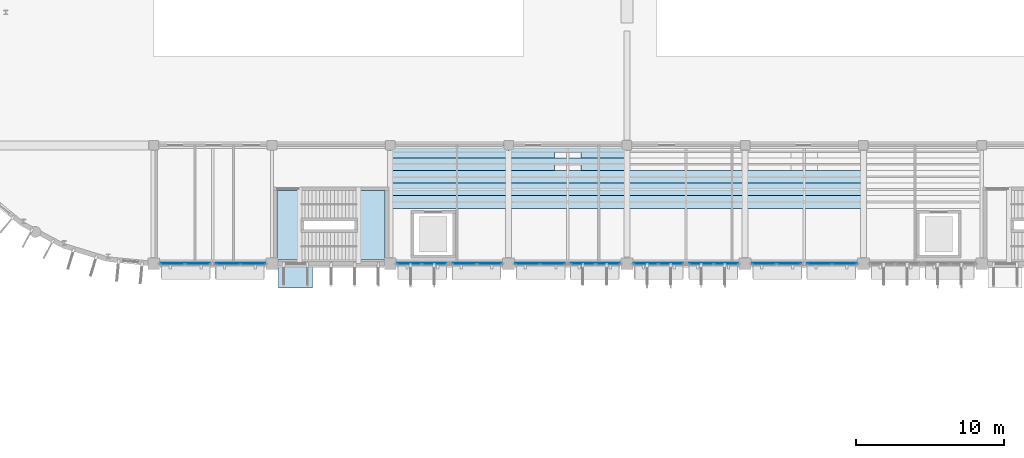
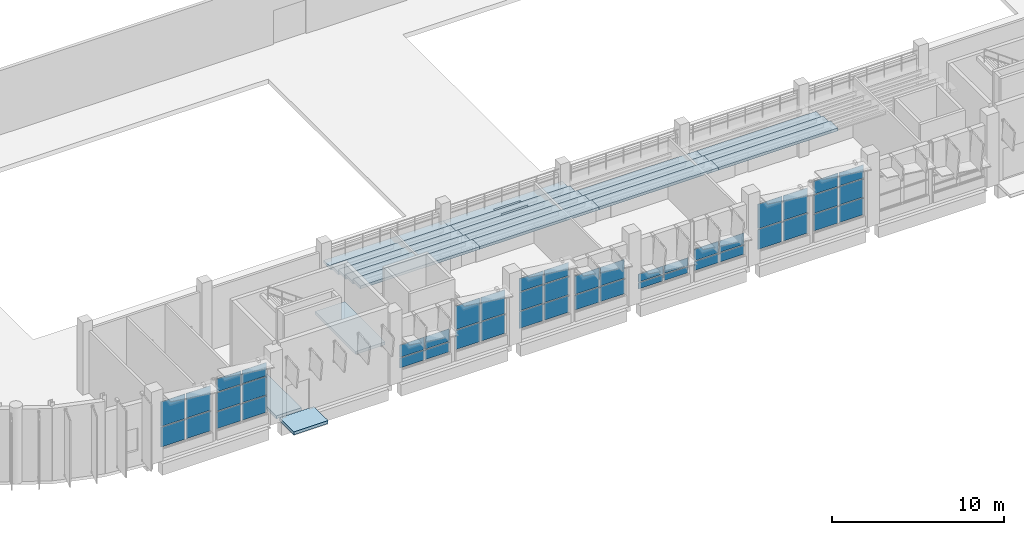
# One storey, part 52 of 103: 46 plates, 19 slabs, 11 elements without a shape of their own.
"""IFC4 building model written with IfcOpenShell, lengths in metres."""

from ifc_helpers import new_model, si_unit, direction, frame, origin, origin_2d, place, context, subcontext, project, spatial, polyline, rectangle, outline, extrude, material, layer, layer_set, type_object, element, aggregate, save


model = new_model("IFC4")

# Units and contexts
model_context = context("Model", 3, precision=1e-05, world=origin(), true_north=direction((0.0, 1.0)))
body_context = subcontext(model_context, "Body", "Model", "MODEL_VIEW")
ifc_project = project(units=[si_unit("LENGTHUNIT", "METRE"), si_unit("AREAUNIT", "SQUARE_METRE"), si_unit("VOLUMEUNIT", "CUBIC_METRE"), si_unit("PLANEANGLEUNIT", "RADIAN"), si_unit("MASSUNIT", "GRAM", prefix="KILO")], contexts=[model_context])

# Site, building, storey
site_placement = place(None, origin())
site = spatial("IfcSite", under=ifc_project, at=site_placement, CompositionType="ELEMENT")
building_placement = place(site_placement, origin())
building = spatial("IfcBuilding", under=site, at=building_placement, Name="Drelvana Railside Aquatics Centre", CompositionType="ELEMENT")
storey_placement = place(building_placement, origin())
storey = spatial("IfcBuildingStorey", under=building, at=storey_placement, Name="L00", CompositionType="ELEMENT", Elevation=0.0)

# Curtain wall, plates
ifc_material_1 = material(Name="Bronze-anodised aluminium curtain wall", Category="aluminium")
ifc_layer_1 = layer(ifc_material_1, 0.199951171875, Name="Bronze-anodised aluminium curtain wall")
ifc_layer_set_1 = layer_set([ifc_layer_1], Name="Bronze-anodised aluminium curtain wall")
curtain_wall_type = type_object("IfcCurtainWallType", Name="CW-Z1-SINE", PredefinedType="NOTDEFINED", material=ifc_layer_set_1)
curtain_wall_1_placement = place(storey_placement, origin())
curtain_wall_1 = element("IfcCurtainWall", 1, at=curtain_wall_1_placement, inside=storey, type_object=curtain_wall_type, Name="Curtain wall CW-01-001", PredefinedType="NOTDEFINED")
ifc_material_2 = material(Name="Double-glazed low-e solar-control glass", Category="glass")
ifc_layer_2 = layer(ifc_material_2, 0.031982421875, Name="Double-glazed low-e solar-control glass")
ifc_layer_set_2 = layer_set([ifc_layer_2], Name="Double-glazed low-e solar-control glass")
plate_type = type_object("IfcPlateType", Name="CW-Z1-SINE-PAN", PredefinedType="CURTAIN_PANEL", material=ifc_layer_set_2)
plate_1_placement = place(storey_placement, frame((17.279296875, 16.0, 0.708984375), z_axis=(0.0, 0.0, 1.0), x_axis=(1.0, 0.0, 0.0)))
plate_1 = element("IfcPlate", 2, at=plate_1_placement, type_object=plate_type, Name="CW-01 panel 1.1", PredefinedType="CURTAIN_PANEL", context=body_context, shape_type="SweptSolid", body=[
    extrude(rectangle(XDim=1.630615234375, YDim=0.031982421875, at=origin_2d()), origin(), (0.0, 0.0, 1.0), 1.406982421875),
])
plate_2_placement = place(storey_placement, frame((17.279296875, 16.0, 2.17578125), z_axis=(0.0, 0.0, 1.0), x_axis=(1.0, 0.0, 0.0)))
plate_2 = element("IfcPlate", 3, at=plate_2_placement, type_object=plate_type, Name="CW-01 panel 1.2", PredefinedType="CURTAIN_PANEL", context=body_context, shape_type="SweptSolid", body=[
    extrude(rectangle(XDim=1.630615234375, YDim=0.031982421875, at=origin_2d()), origin(), (0.0, 0.0, 1.0), 1.739990234375),
])
plate_3_placement = place(storey_placement, frame((18.974853515625, 16.0, 0.708984375), z_axis=(0.0, 0.0, 1.0), x_axis=(1.0, 0.0, 0.0)))
plate_3 = element("IfcPlate", 4, at=plate_3_placement, type_object=plate_type, Name="CW-01 panel 2.1", PredefinedType="CURTAIN_PANEL", context=body_context, shape_type="SweptSolid", body=[
    extrude(rectangle(XDim=1.630615234375, YDim=0.031982421875, at=origin_2d()), origin(), (0.0, 0.0, 1.0), 1.406982421875),
])
plate_4_placement = place(storey_placement, frame((18.974853515625, 16.0, 2.17578125), z_axis=(0.0, 0.0, 1.0), x_axis=(1.0, 0.0, 0.0)))
plate_4 = element("IfcPlate", 5, at=plate_4_placement, type_object=plate_type, Name="CW-01 panel 2.2", PredefinedType="CURTAIN_PANEL", context=body_context, shape_type="SweptSolid", body=[
    extrude(rectangle(XDim=1.630615234375, YDim=0.031982421875, at=origin_2d()), origin(), (0.0, 0.0, 1.0), 1.739990234375),
])
aggregate(curtain_wall_1, [plate_1, plate_2, plate_3, plate_4])

curtain_wall_2_placement = place(storey_placement, origin())
curtain_wall_2 = element("IfcCurtainWall", 6, at=curtain_wall_2_placement, inside=storey, type_object=curtain_wall_type, Name="Curtain wall CW-01-002", PredefinedType="NOTDEFINED")
plate_5_placement = place(storey_placement, frame((21.025146484375, 16.0, 0.708984375), z_axis=(0.0, 0.0, 1.0), x_axis=(1.0, 0.0, 0.0)))
plate_5 = element("IfcPlate", 7, at=plate_5_placement, type_object=plate_type, Name="CW-01 panel 1.1", PredefinedType="CURTAIN_PANEL", context=body_context, shape_type="SweptSolid", body=[
    extrude(rectangle(XDim=1.630615234375, YDim=0.031982421875, at=origin_2d()), origin(), (0.0, 0.0, 1.0), 1.18603515625),
])
plate_6_placement = place(storey_placement, frame((21.025146484375, 16.0, 1.955078125), z_axis=(0.0, 0.0, 1.0), x_axis=(1.0, 0.0, 0.0)))
plate_6 = element("IfcPlate", 8, at=plate_6_placement, type_object=plate_type, Name="CW-01 panel 1.2", PredefinedType="CURTAIN_PANEL", context=body_context, shape_type="SweptSolid", body=[
    extrude(rectangle(XDim=1.630615234375, YDim=0.031982421875, at=origin_2d()), origin(), (0.0, 0.0, 1.0), 1.294921875),
])
plate_7_placement = place(storey_placement, frame((21.025146484375, 16.0, 3.31005859375), z_axis=(0.0, 0.0, 1.0), x_axis=(1.0, 0.0, 0.0)))
plate_7 = element("IfcPlate", 9, at=plate_7_placement, type_object=plate_type, Name="CW-01 panel 1.3", PredefinedType="CURTAIN_PANEL", context=body_context, shape_type="SweptSolid", body=[
    extrude(rectangle(XDim=1.630615234375, YDim=0.031982421875, at=origin_2d()), origin(), (0.0, 0.0, 1.0), 0.929931640625),
])
plate_8_placement = place(storey_placement, frame((22.720703125, 16.0, 0.708984375), z_axis=(0.0, 0.0, 1.0), x_axis=(1.0, 0.0, 0.0)))
plate_8 = element("IfcPlate", 10, at=plate_8_placement, type_object=plate_type, Name="CW-01 panel 2.1", PredefinedType="CURTAIN_PANEL", context=body_context, shape_type="SweptSolid", body=[
    extrude(rectangle(XDim=1.630615234375, YDim=0.031982421875, at=origin_2d()), origin(), (0.0, 0.0, 1.0), 1.18603515625),
])
plate_9_placement = place(storey_placement, frame((22.720703125, 16.0, 1.955078125), z_axis=(0.0, 0.0, 1.0), x_axis=(1.0, 0.0, 0.0)))
plate_9 = element("IfcPlate", 11, at=plate_9_placement, type_object=plate_type, Name="CW-01 panel 2.2", PredefinedType="CURTAIN_PANEL", context=body_context, shape_type="SweptSolid", body=[
    extrude(rectangle(XDim=1.630615234375, YDim=0.031982421875, at=origin_2d()), origin(), (0.0, 0.0, 1.0), 1.294921875),
])
plate_10_placement = place(storey_placement, frame((22.720703125, 16.0, 3.31005859375), z_axis=(0.0, 0.0, 1.0), x_axis=(1.0, 0.0, 0.0)))
plate_10 = element("IfcPlate", 12, at=plate_10_placement, type_object=plate_type, Name="CW-01 panel 2.3", PredefinedType="CURTAIN_PANEL", context=body_context, shape_type="SweptSolid", body=[
    extrude(rectangle(XDim=1.630615234375, YDim=0.031982421875, at=origin_2d()), origin(), (0.0, 0.0, 1.0), 0.929931640625),
])
aggregate(curtain_wall_2, [plate_5, plate_6, plate_7, plate_8, plate_9, plate_10])

curtain_wall_3_placement = place(storey_placement, origin())
curtain_wall_3 = element("IfcCurtainWall", 13, at=curtain_wall_3_placement, inside=storey, type_object=curtain_wall_type, Name="Curtain wall CW-01-003", PredefinedType="NOTDEFINED")
plate_11_placement = place(storey_placement, frame((33.279296875, 16.0, 0.708984375), z_axis=(0.0, 0.0, 1.0), x_axis=(1.0, 0.0, 0.0)))
plate_11 = element("IfcPlate", 14, at=plate_11_placement, type_object=plate_type, Name="CW-01 panel 1.1", PredefinedType="CURTAIN_PANEL", context=body_context, shape_type="SweptSolid", body=[
    extrude(rectangle(XDim=1.630615234375, YDim=0.031982421875, at=origin_2d()), origin(), (0.0, 0.0, 1.0), 0.693115234375),
])
plate_12_placement = place(storey_placement, frame((33.279296875, 16.0, 1.4619140625), z_axis=(0.0, 0.0, 1.0), x_axis=(1.0, 0.0, 0.0)))
plate_12 = element("IfcPlate", 15, at=plate_12_placement, type_object=plate_type, Name="CW-01 panel 1.2", PredefinedType="CURTAIN_PANEL", context=body_context, shape_type="SweptSolid", body=[
    extrude(rectangle(XDim=1.630615234375, YDim=0.031982421875, at=origin_2d()), origin(), (0.0, 0.0, 1.0), 0.868896484375),
])
plate_13_placement = place(storey_placement, frame((34.974853515625, 16.0, 0.708984375), z_axis=(0.0, 0.0, 1.0), x_axis=(1.0, 0.0, 0.0)))
plate_13 = element("IfcPlate", 16, at=plate_13_placement, type_object=plate_type, Name="CW-01 panel 2.1", PredefinedType="CURTAIN_PANEL", context=body_context, shape_type="SweptSolid", body=[
    extrude(rectangle(XDim=1.630615234375, YDim=0.031982421875, at=origin_2d()), origin(), (0.0, 0.0, 1.0), 0.693115234375),
])
plate_14_placement = place(storey_placement, frame((34.974853515625, 16.0, 1.4619140625), z_axis=(0.0, 0.0, 1.0), x_axis=(1.0, 0.0, 0.0)))
plate_14 = element("IfcPlate", 17, at=plate_14_placement, type_object=plate_type, Name="CW-01 panel 2.2", PredefinedType="CURTAIN_PANEL", context=body_context, shape_type="SweptSolid", body=[
    extrude(rectangle(XDim=1.630615234375, YDim=0.031982421875, at=origin_2d()), origin(), (0.0, 0.0, 1.0), 0.868896484375),
])
aggregate(curtain_wall_3, [plate_11, plate_12, plate_13, plate_14])

curtain_wall_4_placement = place(storey_placement, origin())
curtain_wall_4 = element("IfcCurtainWall", 18, at=curtain_wall_4_placement, inside=storey, type_object=curtain_wall_type, Name="Curtain wall CW-01-004", PredefinedType="NOTDEFINED")
plate_15_placement = place(storey_placement, frame((37.025146484375, 16.0, 0.708984375), z_axis=(0.0, 0.0, 1.0), x_axis=(1.0, 0.0, 0.0)))
plate_15 = element("IfcPlate", 19, at=plate_15_placement, type_object=plate_type, Name="CW-01 panel 1.1", PredefinedType="CURTAIN_PANEL", context=body_context, shape_type="SweptSolid", body=[
    extrude(rectangle(XDim=1.630615234375, YDim=0.031982421875, at=origin_2d()), origin(), (0.0, 0.0, 1.0), 1.35400390625),
])
plate_16_placement = place(storey_placement, frame((37.025146484375, 16.0, 2.123046875), z_axis=(0.0, 0.0, 1.0), x_axis=(1.0, 0.0, 0.0)))
plate_16 = element("IfcPlate", 20, at=plate_16_placement, type_object=plate_type, Name="CW-01 panel 1.2", PredefinedType="CURTAIN_PANEL", context=body_context, shape_type="SweptSolid", body=[
    extrude(rectangle(XDim=1.630615234375, YDim=0.031982421875, at=origin_2d()), origin(), (0.0, 0.0, 1.0), 1.676025390625),
])
plate_17_placement = place(storey_placement, frame((38.720703125, 16.0, 0.708984375), z_axis=(0.0, 0.0, 1.0), x_axis=(1.0, 0.0, 0.0)))
plate_17 = element("IfcPlate", 21, at=plate_17_placement, type_object=plate_type, Name="CW-01 panel 2.1", PredefinedType="CURTAIN_PANEL", context=body_context, shape_type="SweptSolid", body=[
    extrude(rectangle(XDim=1.630615234375, YDim=0.031982421875, at=origin_2d()), origin(), (0.0, 0.0, 1.0), 1.35400390625),
])
plate_18_placement = place(storey_placement, frame((38.720703125, 16.0, 2.123046875), z_axis=(0.0, 0.0, 1.0), x_axis=(1.0, 0.0, 0.0)))
plate_18 = element("IfcPlate", 22, at=plate_18_placement, type_object=plate_type, Name="CW-01 panel 2.2", PredefinedType="CURTAIN_PANEL", context=body_context, shape_type="SweptSolid", body=[
    extrude(rectangle(XDim=1.630615234375, YDim=0.031982421875, at=origin_2d()), origin(), (0.0, 0.0, 1.0), 1.676025390625),
])
aggregate(curtain_wall_4, [plate_15, plate_16, plate_17, plate_18])

curtain_wall_5_placement = place(storey_placement, origin())
curtain_wall_5 = element("IfcCurtainWall", 23, at=curtain_wall_5_placement, inside=storey, type_object=curtain_wall_type, Name="Curtain wall CW-01-005", PredefinedType="NOTDEFINED")
plate_19_placement = place(storey_placement, frame((41.279296875, 16.0, 0.708984375), z_axis=(0.0, 0.0, 1.0), x_axis=(1.0, 0.0, 0.0)))
plate_19 = element("IfcPlate", 24, at=plate_19_placement, type_object=plate_type, Name="CW-01 panel 1.1", PredefinedType="CURTAIN_PANEL", context=body_context, shape_type="SweptSolid", body=[
    extrude(rectangle(XDim=1.630615234375, YDim=0.031982421875, at=origin_2d()), origin(), (0.0, 0.0, 1.0), 1.18603515625),
])
plate_20_placement = place(storey_placement, frame((41.279296875, 16.0, 1.955078125), z_axis=(0.0, 0.0, 1.0), x_axis=(1.0, 0.0, 0.0)))
plate_20 = element("IfcPlate", 25, at=plate_20_placement, type_object=plate_type, Name="CW-01 panel 1.2", PredefinedType="CURTAIN_PANEL", context=body_context, shape_type="SweptSolid", body=[
    extrude(rectangle(XDim=1.630615234375, YDim=0.031982421875, at=origin_2d()), origin(), (0.0, 0.0, 1.0), 1.294921875),
])
plate_21_placement = place(storey_placement, frame((41.279296875, 16.0, 3.31005859375), z_axis=(0.0, 0.0, 1.0), x_axis=(1.0, 0.0, 0.0)))
plate_21 = element("IfcPlate", 26, at=plate_21_placement, type_object=plate_type, Name="CW-01 panel 1.3", PredefinedType="CURTAIN_PANEL", context=body_context, shape_type="SweptSolid", body=[
    extrude(rectangle(XDim=1.630615234375, YDim=0.031982421875, at=origin_2d()), origin(), (0.0, 0.0, 1.0), 0.929931640625),
])
plate_22_placement = place(storey_placement, frame((42.974853515625, 16.0, 0.708984375), z_axis=(0.0, 0.0, 1.0), x_axis=(1.0, 0.0, 0.0)))
plate_22 = element("IfcPlate", 27, at=plate_22_placement, type_object=plate_type, Name="CW-01 panel 2.1", PredefinedType="CURTAIN_PANEL", context=body_context, shape_type="SweptSolid", body=[
    extrude(rectangle(XDim=1.630615234375, YDim=0.031982421875, at=origin_2d()), origin(), (0.0, 0.0, 1.0), 1.18603515625),
])
plate_23_placement = place(storey_placement, frame((42.974853515625, 16.0, 1.955078125), z_axis=(0.0, 0.0, 1.0), x_axis=(1.0, 0.0, 0.0)))
plate_23 = element("IfcPlate", 28, at=plate_23_placement, type_object=plate_type, Name="CW-01 panel 2.2", PredefinedType="CURTAIN_PANEL", context=body_context, shape_type="SweptSolid", body=[
    extrude(rectangle(XDim=1.630615234375, YDim=0.031982421875, at=origin_2d()), origin(), (0.0, 0.0, 1.0), 1.294921875),
])
plate_24_placement = place(storey_placement, frame((42.974853515625, 16.0, 3.31005859375), z_axis=(0.0, 0.0, 1.0), x_axis=(1.0, 0.0, 0.0)))
plate_24 = element("IfcPlate", 29, at=plate_24_placement, type_object=plate_type, Name="CW-01 panel 2.3", PredefinedType="CURTAIN_PANEL", context=body_context, shape_type="SweptSolid", body=[
    extrude(rectangle(XDim=1.630615234375, YDim=0.031982421875, at=origin_2d()), origin(), (0.0, 0.0, 1.0), 0.929931640625),
])
aggregate(curtain_wall_5, [plate_19, plate_20, plate_21, plate_22, plate_23, plate_24])

curtain_wall_6_placement = place(storey_placement, origin())
curtain_wall_6 = element("IfcCurtainWall", 30, at=curtain_wall_6_placement, inside=storey, type_object=curtain_wall_type, Name="Curtain wall CW-01-006", PredefinedType="NOTDEFINED")
plate_25_placement = place(storey_placement, frame((45.025146484375, 16.0, 0.708984375), z_axis=(0.0, 0.0, 1.0), x_axis=(1.0, 0.0, 0.0)))
plate_25 = element("IfcPlate", 31, at=plate_25_placement, type_object=plate_type, Name="CW-01 panel 1.1", PredefinedType="CURTAIN_PANEL", context=body_context, shape_type="SweptSolid", body=[
    extrude(rectangle(XDim=1.630615234375, YDim=0.031982421875, at=origin_2d()), origin(), (0.0, 0.0, 1.0), 1.055908203125),
])
plate_26_placement = place(storey_placement, frame((45.025146484375, 16.0, 1.824951171875), z_axis=(0.0, 0.0, 1.0), x_axis=(1.0, 0.0, 0.0)))
plate_26 = element("IfcPlate", 32, at=plate_26_placement, type_object=plate_type, Name="CW-01 panel 1.2", PredefinedType="CURTAIN_PANEL", context=body_context, shape_type="SweptSolid", body=[
    extrude(rectangle(XDim=1.630615234375, YDim=0.031982421875, at=origin_2d()), origin(), (0.0, 0.0, 1.0), 1.31201171875),
])
plate_27_placement = place(storey_placement, frame((46.720703125, 16.0, 0.708984375), z_axis=(0.0, 0.0, 1.0), x_axis=(1.0, 0.0, 0.0)))
plate_27 = element("IfcPlate", 33, at=plate_27_placement, type_object=plate_type, Name="CW-01 panel 2.1", PredefinedType="CURTAIN_PANEL", context=body_context, shape_type="SweptSolid", body=[
    extrude(rectangle(XDim=1.630615234375, YDim=0.031982421875, at=origin_2d()), origin(), (0.0, 0.0, 1.0), 1.055908203125),
])
plate_28_placement = place(storey_placement, frame((46.720703125, 16.0, 1.824951171875), z_axis=(0.0, 0.0, 1.0), x_axis=(1.0, 0.0, 0.0)))
plate_28 = element("IfcPlate", 34, at=plate_28_placement, type_object=plate_type, Name="CW-01 panel 2.2", PredefinedType="CURTAIN_PANEL", context=body_context, shape_type="SweptSolid", body=[
    extrude(rectangle(XDim=1.630615234375, YDim=0.031982421875, at=origin_2d()), origin(), (0.0, 0.0, 1.0), 1.31201171875),
])
aggregate(curtain_wall_6, [plate_25, plate_26, plate_27, plate_28])

curtain_wall_7_placement = place(storey_placement, origin())
curtain_wall_7 = element("IfcCurtainWall", 35, at=curtain_wall_7_placement, inside=storey, type_object=curtain_wall_type, Name="Curtain wall CW-01-007", PredefinedType="NOTDEFINED")
plate_29_placement = place(storey_placement, frame((49.279296875, 16.0, 0.708984375), z_axis=(0.0, 0.0, 1.0), x_axis=(1.0, 0.0, 0.0)))
plate_29 = element("IfcPlate", 36, at=plate_29_placement, type_object=plate_type, Name="CW-01 panel 1.1", PredefinedType="CURTAIN_PANEL", context=body_context, shape_type="SweptSolid", body=[
    extrude(rectangle(XDim=1.630615234375, YDim=0.031982421875, at=origin_2d()), origin(), (0.0, 0.0, 1.0), 0.43701171875),
])
plate_30_placement = place(storey_placement, frame((49.279296875, 16.0, 1.2060546875), z_axis=(0.0, 0.0, 1.0), x_axis=(1.0, 0.0, 0.0)))
plate_30 = element("IfcPlate", 37, at=plate_30_placement, type_object=plate_type, Name="CW-01 panel 1.2", PredefinedType="CURTAIN_PANEL", context=body_context, shape_type="SweptSolid", body=[
    extrude(rectangle(XDim=1.630615234375, YDim=0.031982421875, at=origin_2d()), origin(), (0.0, 0.0, 1.0), 0.554931640625),
])
plate_31_placement = place(storey_placement, frame((50.974853515625, 16.0, 0.708984375), z_axis=(0.0, 0.0, 1.0), x_axis=(1.0, 0.0, 0.0)))
plate_31 = element("IfcPlate", 38, at=plate_31_placement, type_object=plate_type, Name="CW-01 panel 2.1", PredefinedType="CURTAIN_PANEL", context=body_context, shape_type="SweptSolid", body=[
    extrude(rectangle(XDim=1.630615234375, YDim=0.031982421875, at=origin_2d()), origin(), (0.0, 0.0, 1.0), 0.43701171875),
])
plate_32_placement = place(storey_placement, frame((50.974853515625, 16.0, 1.2060546875), z_axis=(0.0, 0.0, 1.0), x_axis=(1.0, 0.0, 0.0)))
plate_32 = element("IfcPlate", 39, at=plate_32_placement, type_object=plate_type, Name="CW-01 panel 2.2", PredefinedType="CURTAIN_PANEL", context=body_context, shape_type="SweptSolid", body=[
    extrude(rectangle(XDim=1.630615234375, YDim=0.031982421875, at=origin_2d()), origin(), (0.0, 0.0, 1.0), 0.554931640625),
])
aggregate(curtain_wall_7, [plate_29, plate_30, plate_31, plate_32])

curtain_wall_8_placement = place(storey_placement, origin())
curtain_wall_8 = element("IfcCurtainWall", 40, at=curtain_wall_8_placement, inside=storey, type_object=curtain_wall_type, Name="Curtain wall CW-01-008", PredefinedType="NOTDEFINED")
plate_33_placement = place(storey_placement, frame((53.025146484375, 16.0, 0.708984375), z_axis=(0.0, 0.0, 1.0), x_axis=(1.0, 0.0, 0.0)))
plate_33 = element("IfcPlate", 41, at=plate_33_placement, type_object=plate_type, Name="CW-01 panel 1.1", PredefinedType="CURTAIN_PANEL", context=body_context, shape_type="SweptSolid", body=[
    extrude(rectangle(XDim=1.630615234375, YDim=0.031982421875, at=origin_2d()), origin(), (0.0, 0.0, 1.0), 0.64111328125),
])
plate_34_placement = place(storey_placement, frame((53.025146484375, 16.0, 1.41015625), z_axis=(0.0, 0.0, 1.0), x_axis=(1.0, 0.0, 0.0)))
plate_34 = element("IfcPlate", 42, at=plate_34_placement, type_object=plate_type, Name="CW-01 panel 1.2", PredefinedType="CURTAIN_PANEL", context=body_context, shape_type="SweptSolid", body=[
    extrude(rectangle(XDim=1.630615234375, YDim=0.031982421875, at=origin_2d()), origin(), (0.0, 0.0, 1.0), 0.803955078125),
])
plate_35_placement = place(storey_placement, frame((54.720703125, 16.0, 0.708984375), z_axis=(0.0, 0.0, 1.0), x_axis=(1.0, 0.0, 0.0)))
plate_35 = element("IfcPlate", 43, at=plate_35_placement, type_object=plate_type, Name="CW-01 panel 2.1", PredefinedType="CURTAIN_PANEL", context=body_context, shape_type="SweptSolid", body=[
    extrude(rectangle(XDim=1.630615234375, YDim=0.031982421875, at=origin_2d()), origin(), (0.0, 0.0, 1.0), 0.64111328125),
])
plate_36_placement = place(storey_placement, frame((54.720703125, 16.0, 1.41015625), z_axis=(0.0, 0.0, 1.0), x_axis=(1.0, 0.0, 0.0)))
plate_36 = element("IfcPlate", 44, at=plate_36_placement, type_object=plate_type, Name="CW-01 panel 2.2", PredefinedType="CURTAIN_PANEL", context=body_context, shape_type="SweptSolid", body=[
    extrude(rectangle(XDim=1.630615234375, YDim=0.031982421875, at=origin_2d()), origin(), (0.0, 0.0, 1.0), 0.803955078125),
])
aggregate(curtain_wall_8, [plate_33, plate_34, plate_35, plate_36])

curtain_wall_9_placement = place(storey_placement, origin())
curtain_wall_9 = element("IfcCurtainWall", 45, at=curtain_wall_9_placement, inside=storey, type_object=curtain_wall_type, Name="Curtain wall CW-01-009", PredefinedType="NOTDEFINED")
plate_37_placement = place(storey_placement, frame((57.279296875, 16.0, 0.708984375), z_axis=(0.0, 0.0, 1.0), x_axis=(1.0, 0.0, 0.0)))
plate_37 = element("IfcPlate", 46, at=plate_37_placement, type_object=plate_type, Name="CW-01 panel 1.1", PredefinedType="CURTAIN_PANEL", context=body_context, shape_type="SweptSolid", body=[
    extrude(rectangle(XDim=1.630615234375, YDim=0.031982421875, at=origin_2d()), origin(), (0.0, 0.0, 1.0), 1.406982421875),
])
plate_38_placement = place(storey_placement, frame((57.279296875, 16.0, 2.17578125), z_axis=(0.0, 0.0, 1.0), x_axis=(1.0, 0.0, 0.0)))
plate_38 = element("IfcPlate", 47, at=plate_38_placement, type_object=plate_type, Name="CW-01 panel 1.2", PredefinedType="CURTAIN_PANEL", context=body_context, shape_type="SweptSolid", body=[
    extrude(rectangle(XDim=1.630615234375, YDim=0.031982421875, at=origin_2d()), origin(), (0.0, 0.0, 1.0), 1.739990234375),
])
plate_39_placement = place(storey_placement, frame((58.974853515625, 16.0, 0.708984375), z_axis=(0.0, 0.0, 1.0), x_axis=(1.0, 0.0, 0.0)))
plate_39 = element("IfcPlate", 48, at=plate_39_placement, type_object=plate_type, Name="CW-01 panel 2.1", PredefinedType="CURTAIN_PANEL", context=body_context, shape_type="SweptSolid", body=[
    extrude(rectangle(XDim=1.630615234375, YDim=0.031982421875, at=origin_2d()), origin(), (0.0, 0.0, 1.0), 1.406982421875),
])
plate_40_placement = place(storey_placement, frame((58.974853515625, 16.0, 2.17578125), z_axis=(0.0, 0.0, 1.0), x_axis=(1.0, 0.0, 0.0)))
plate_40 = element("IfcPlate", 49, at=plate_40_placement, type_object=plate_type, Name="CW-01 panel 2.2", PredefinedType="CURTAIN_PANEL", context=body_context, shape_type="SweptSolid", body=[
    extrude(rectangle(XDim=1.630615234375, YDim=0.031982421875, at=origin_2d()), origin(), (0.0, 0.0, 1.0), 1.739990234375),
])
aggregate(curtain_wall_9, [plate_37, plate_38, plate_39, plate_40])

curtain_wall_10_placement = place(storey_placement, origin())
curtain_wall_10 = element("IfcCurtainWall", 50, at=curtain_wall_10_placement, inside=storey, type_object=curtain_wall_type, Name="Curtain wall CW-01-010", PredefinedType="NOTDEFINED")
plate_41_placement = place(storey_placement, frame((61.025146484375, 16.0, 0.708984375), z_axis=(0.0, 0.0, 1.0), x_axis=(1.0, 0.0, 0.0)))
plate_41 = element("IfcPlate", 51, at=plate_41_placement, type_object=plate_type, Name="CW-01 panel 1.1", PredefinedType="CURTAIN_PANEL", context=body_context, shape_type="SweptSolid", body=[
    extrude(rectangle(XDim=1.630615234375, YDim=0.031982421875, at=origin_2d()), origin(), (0.0, 0.0, 1.0), 1.18603515625),
])
plate_42_placement = place(storey_placement, frame((61.025146484375, 16.0, 1.955078125), z_axis=(0.0, 0.0, 1.0), x_axis=(1.0, 0.0, 0.0)))
plate_42 = element("IfcPlate", 52, at=plate_42_placement, type_object=plate_type, Name="CW-01 panel 1.2", PredefinedType="CURTAIN_PANEL", context=body_context, shape_type="SweptSolid", body=[
    extrude(rectangle(XDim=1.630615234375, YDim=0.031982421875, at=origin_2d()), origin(), (0.0, 0.0, 1.0), 1.294921875),
])
plate_43_placement = place(storey_placement, frame((61.025146484375, 16.0, 3.31005859375), z_axis=(0.0, 0.0, 1.0), x_axis=(1.0, 0.0, 0.0)))
plate_43 = element("IfcPlate", 53, at=plate_43_placement, type_object=plate_type, Name="CW-01 panel 1.3", PredefinedType="CURTAIN_PANEL", context=body_context, shape_type="SweptSolid", body=[
    extrude(rectangle(XDim=1.630615234375, YDim=0.031982421875, at=origin_2d()), origin(), (0.0, 0.0, 1.0), 0.929931640625),
])
plate_44_placement = place(storey_placement, frame((62.720703125, 16.0, 0.708984375), z_axis=(0.0, 0.0, 1.0), x_axis=(1.0, 0.0, 0.0)))
plate_44 = element("IfcPlate", 54, at=plate_44_placement, type_object=plate_type, Name="CW-01 panel 2.1", PredefinedType="CURTAIN_PANEL", context=body_context, shape_type="SweptSolid", body=[
    extrude(rectangle(XDim=1.630615234375, YDim=0.031982421875, at=origin_2d()), origin(), (0.0, 0.0, 1.0), 1.18603515625),
])
plate_45_placement = place(storey_placement, frame((62.720703125, 16.0, 1.955078125), z_axis=(0.0, 0.0, 1.0), x_axis=(1.0, 0.0, 0.0)))
plate_45 = element("IfcPlate", 55, at=plate_45_placement, type_object=plate_type, Name="CW-01 panel 2.2", PredefinedType="CURTAIN_PANEL", context=body_context, shape_type="SweptSolid", body=[
    extrude(rectangle(XDim=1.630615234375, YDim=0.031982421875, at=origin_2d()), origin(), (0.0, 0.0, 1.0), 1.294921875),
])
plate_46_placement = place(storey_placement, frame((62.720703125, 16.0, 3.31005859375), z_axis=(0.0, 0.0, 1.0), x_axis=(1.0, 0.0, 0.0)))
plate_46 = element("IfcPlate", 56, at=plate_46_placement, type_object=plate_type, Name="CW-01 panel 2.3", PredefinedType="CURTAIN_PANEL", context=body_context, shape_type="SweptSolid", body=[
    extrude(rectangle(XDim=1.630615234375, YDim=0.031982421875, at=origin_2d()), origin(), (0.0, 0.0, 1.0), 0.929931640625),
])
aggregate(curtain_wall_10, [plate_41, plate_42, plate_43, plate_44, plate_45, plate_46])

# Slab
ifc_material_3 = material(Name="Concrete C40/50", Category="concrete")
ifc_layer_3 = layer(ifc_material_3, 0.199951171875, Name="Concrete C40/50")
ifc_layer_set_3 = layer_set([ifc_layer_3], Name="Concrete C40/50")
slab_type_1 = type_object("IfcSlabType", Name="SL-LAND-200", PredefinedType="LANDING", material=ifc_layer_set_3)
slab_1_placement = place(storey_placement, frame((0.0, 0.0, -0.199951171875)))
element("IfcSlab", 57, at=slab_1_placement, inside=storey, type_object=slab_type_1, Name="Stair ST-01 L00 floor landing", PredefinedType="LANDING", context=body_context, shape_type="SweptSolid", body=[
    extrude(outline(polyline([(24.35009765625, 16.25), (26.030029296875, 16.25), (26.030029296875, 20.949951171875), (24.35009765625, 20.949951171875), (24.35009765625, 16.25)])), origin(), (0.0, 0.0, 1.0), 0.199951171875),
])

# Stair, slab
stair_type = type_object("IfcStairType", Name="ST-CORE-L00", PredefinedType="HALF_TURN_STAIR", material=ifc_material_3)
stair_placement = place(storey_placement, origin())
stair = element("IfcStair", 58, at=stair_placement, inside=storey, type_object=stair_type, Name="Exit stair ST-01 (L00 to L01)", PredefinedType="HALF_TURN_STAIR")
slab_2_placement = place(storey_placement, frame((0.0, 0.0, 2.5)))
slab_2 = element("IfcSlab", 59, at=slab_2_placement, type_object=slab_type_1, Name="ST-L0 landing 1", PredefinedType="LANDING", context=body_context, shape_type="SweptSolid", body=[
    extrude(outline(polyline([(29.659912109375, 16.25), (31.64990234375, 16.25), (31.64990234375, 20.949951171875), (29.659912109375, 20.949951171875), (29.659912109375, 16.25)])), origin(), (0.0, 0.0, 1.0), 0.199951171875),
])
aggregate(stair, [slab_2])

# Slabs
ifc_material_4 = material(Name="Precast concrete C40/50", Category="concrete")
ifc_layer_4 = layer(ifc_material_4, 0.2099609375, Name="Precast concrete C40/50")
ifc_layer_set_4 = layer_set([ifc_layer_4], Name="Precast concrete C40/50")
slab_type_2 = type_object("IfcSlabType", Name="SL-PAV-210", PredefinedType="BASESLAB", material=ifc_layer_set_4)
slab_3_placement = place(storey_placement, frame((0.0, 0.0, -0.2099609375)))
element("IfcSlab", 60, at=slab_3_placement, inside=storey, type_object=slab_type_2, Name="Exterior threshold landing apron 001", PredefinedType="BASESLAB", context=body_context, shape_type="SweptSolid", body=[
    extrude(outline(polyline([(24.425048828125, 14.344970703125), (26.72509765625, 14.344970703125), (26.72509765625, 15.9951171875), (24.425048828125, 15.9951171875), (24.425048828125, 14.344970703125)])), origin(), (0.0, 0.0, 1.0), 0.2099609375),
])
ifc_layer_5 = layer(ifc_material_4, 0.195068359375, Name="Precast concrete C40/50")
ifc_layer_set_5 = layer_set([ifc_layer_5], Name="Precast concrete C40/50")
slab_type_3 = type_object("IfcSlabType", Name="SL-TIER-195", PredefinedType="USERDEFINED", material=ifc_layer_set_5)
slab_4_placement = place(storey_placement, frame((0.0, 0.0, 3.466796875)))
element("IfcSlab", 61, at=slab_4_placement, inside=storey, type_object=slab_type_3, Name="Stand Lower Tier S Bay 1 Row 1", ObjectType="SEATING TIER", PredefinedType="USERDEFINED", context=body_context, shape_type="SweptSolid", body=[
    extrude(outline(polyline([(32.0, 23.14990234375), (40.0, 23.14990234375), (40.0, 24.0), (32.0, 24.0), (32.0, 23.14990234375)])), origin(), (0.0, 0.0, 1.0), 0.195068359375),
])
slab_5_placement = place(storey_placement, frame((0.0, 0.0, 3.650634765625)))
element("IfcSlab", 62, at=slab_5_placement, inside=storey, type_object=slab_type_3, Name="Stand Lower Tier S Bay 1 Row 2", ObjectType="SEATING TIER", PredefinedType="USERDEFINED", context=body_context, shape_type="SweptSolid", body=[
    extrude(outline(polyline([(32.0, 22.300048828125), (40.0, 22.300048828125), (40.0, 23.14990234375), (32.0, 23.14990234375), (32.0, 22.300048828125)])), origin(), (0.0, 0.0, 1.0), 0.195068359375),
])
slab_6_placement = place(storey_placement, frame((0.0, 0.0, 3.83447265625)))
element("IfcSlab", 63, at=slab_6_placement, inside=storey, type_object=slab_type_3, Name="Stand Lower Tier S Bay 1 Row 3", ObjectType="SEATING TIER", PredefinedType="USERDEFINED", context=body_context, shape_type="SweptSolid", body=[
    extrude(outline(polyline([(32.0, 21.449951171875), (40.0, 21.449951171875), (40.0, 22.300048828125), (32.0, 22.300048828125), (32.0, 21.449951171875)])), origin(), (0.0, 0.0, 1.0), 0.195068359375),
])
slab_7_placement = place(storey_placement, frame((0.0, 0.0, 4.018310546875)))
element("IfcSlab", 64, at=slab_7_placement, inside=storey, type_object=slab_type_3, Name="Stand Lower Tier S Bay 1 Row 4", ObjectType="SEATING TIER", PredefinedType="USERDEFINED", context=body_context, shape_type="SweptSolid", body=[
    extrude(outline(polyline([(32.0, 20.60009765625), (40.0, 20.60009765625), (40.0, 21.449951171875), (32.0, 21.449951171875), (32.0, 20.60009765625)])), origin(), (0.0, 0.0, 1.0), 0.195068359375),
])
slab_8_placement = place(storey_placement, frame((0.0, 0.0, 4.2021484375)))
element("IfcSlab", 65, at=slab_8_placement, inside=storey, type_object=slab_type_3, Name="Stand Lower Tier S Bay 1 Row 5", ObjectType="SEATING TIER", PredefinedType="USERDEFINED", context=body_context, shape_type="SweptSolid", body=[
    extrude(outline(polyline([(32.0, 19.75), (40.0, 19.75), (40.0, 20.60009765625), (32.0, 20.60009765625), (32.0, 19.75)])), origin(), (0.0, 0.0, 1.0), 0.195068359375),
])
slab_9_placement = place(storey_placement, frame((0.0, 0.0, 3.466796875)))
element("IfcSlab", 66, at=slab_9_placement, inside=storey, type_object=slab_type_3, Name="Stand Lower Tier Vomitory S Bay 2 Row 1", ObjectType="SEATING TIER", PredefinedType="USERDEFINED", context=body_context, shape_type="SweptSolid", body=[
    extrude(outline(polyline([(40.0, 23.14990234375), (43.10009765625, 23.14990234375), (43.10009765625, 23.530029296875), (44.89990234375, 23.530029296875), (44.89990234375, 23.14990234375), (48.0, 23.14990234375), (48.0, 24.0), (40.0, 24.0), (40.0, 23.14990234375)])), origin(), (0.0, 0.0, 1.0), 0.195068359375),
])
slab_10_placement = place(storey_placement, frame((0.0, 0.0, 3.650634765625)))
element("IfcSlab", 67, at=slab_10_placement, inside=storey, type_object=slab_type_3, Name="Stand Lower Tier Vomitory S Bay 2 Row 2", ObjectType="SEATING TIER", PredefinedType="USERDEFINED", context=body_context, shape_type="SweptSolid", body=[
    extrude(outline(polyline([(40.0, 22.300048828125), (43.10009765625, 22.300048828125), (43.10009765625, 22.679931640625), (44.89990234375, 22.679931640625), (44.89990234375, 22.300048828125), (48.0, 22.300048828125), (48.0, 23.14990234375), (40.0, 23.14990234375), (40.0, 22.300048828125)])), origin(), (0.0, 0.0, 1.0), 0.195068359375),
])
slab_11_placement = place(storey_placement, frame((0.0, 0.0, 3.83447265625)))
element("IfcSlab", 68, at=slab_11_placement, inside=storey, type_object=slab_type_3, Name="Stand Lower Tier S Bay 2 Row 3", ObjectType="SEATING TIER", PredefinedType="USERDEFINED", context=body_context, shape_type="SweptSolid", body=[
    extrude(outline(polyline([(40.0, 21.449951171875), (48.0, 21.449951171875), (48.0, 22.300048828125), (40.0, 22.300048828125), (40.0, 21.449951171875)])), origin(), (0.0, 0.0, 1.0), 0.195068359375),
])
slab_12_placement = place(storey_placement, frame((0.0, 0.0, 4.018310546875)))
element("IfcSlab", 69, at=slab_12_placement, inside=storey, type_object=slab_type_3, Name="Stand Lower Tier S Bay 2 Row 4", ObjectType="SEATING TIER", PredefinedType="USERDEFINED", context=body_context, shape_type="SweptSolid", body=[
    extrude(outline(polyline([(40.0, 20.60009765625), (48.0, 20.60009765625), (48.0, 21.449951171875), (40.0, 21.449951171875), (40.0, 20.60009765625)])), origin(), (0.0, 0.0, 1.0), 0.195068359375),
])
slab_13_placement = place(storey_placement, frame((0.0, 0.0, 4.2021484375)))
element("IfcSlab", 70, at=slab_13_placement, inside=storey, type_object=slab_type_3, Name="Stand Lower Tier S Bay 2 Row 5", ObjectType="SEATING TIER", PredefinedType="USERDEFINED", context=body_context, shape_type="SweptSolid", body=[
    extrude(outline(polyline([(40.0, 19.75), (48.0, 19.75), (48.0, 20.60009765625), (40.0, 20.60009765625), (40.0, 19.75)])), origin(), (0.0, 0.0, 1.0), 0.195068359375),
])
slab_14_placement = place(storey_placement, frame((0.0, 0.0, 3.83447265625)))
element("IfcSlab", 71, at=slab_14_placement, inside=storey, type_object=slab_type_3, Name="Stand Lower Tier S Bay 3 Row 3", ObjectType="SEATING TIER", PredefinedType="USERDEFINED", context=body_context, shape_type="SweptSolid", body=[
    extrude(outline(polyline([(48.0, 21.449951171875), (56.0, 21.449951171875), (56.0, 22.300048828125), (48.0, 22.300048828125), (48.0, 21.449951171875)])), origin(), (0.0, 0.0, 1.0), 0.195068359375),
])
slab_15_placement = place(storey_placement, frame((0.0, 0.0, 4.018310546875)))
element("IfcSlab", 72, at=slab_15_placement, inside=storey, type_object=slab_type_3, Name="Stand Lower Tier S Bay 3 Row 4", ObjectType="SEATING TIER", PredefinedType="USERDEFINED", context=body_context, shape_type="SweptSolid", body=[
    extrude(outline(polyline([(48.0, 20.60009765625), (56.0, 20.60009765625), (56.0, 21.449951171875), (48.0, 21.449951171875), (48.0, 20.60009765625)])), origin(), (0.0, 0.0, 1.0), 0.195068359375),
])
slab_16_placement = place(storey_placement, frame((0.0, 0.0, 4.2021484375)))
element("IfcSlab", 73, at=slab_16_placement, inside=storey, type_object=slab_type_3, Name="Stand Lower Tier S Bay 3 Row 5", ObjectType="SEATING TIER", PredefinedType="USERDEFINED", context=body_context, shape_type="SweptSolid", body=[
    extrude(outline(polyline([(48.0, 19.75), (56.0, 19.75), (56.0, 20.60009765625), (48.0, 20.60009765625), (48.0, 19.75)])), origin(), (0.0, 0.0, 1.0), 0.195068359375),
])
slab_17_placement = place(storey_placement, frame((0.0, 0.0, 3.83447265625)))
element("IfcSlab", 74, at=slab_17_placement, inside=storey, type_object=slab_type_3, Name="Stand Lower Tier S Bay 4 Row 3", ObjectType="SEATING TIER", PredefinedType="USERDEFINED", context=body_context, shape_type="SweptSolid", body=[
    extrude(outline(polyline([(56.0, 21.449951171875), (64.0, 21.449951171875), (64.0, 22.300048828125), (56.0, 22.300048828125), (56.0, 21.449951171875)])), origin(), (0.0, 0.0, 1.0), 0.195068359375),
])
slab_18_placement = place(storey_placement, frame((0.0, 0.0, 4.018310546875)))
element("IfcSlab", 75, at=slab_18_placement, inside=storey, type_object=slab_type_3, Name="Stand Lower Tier S Bay 4 Row 4", ObjectType="SEATING TIER", PredefinedType="USERDEFINED", context=body_context, shape_type="SweptSolid", body=[
    extrude(outline(polyline([(56.0, 20.60009765625), (64.0, 20.60009765625), (64.0, 21.449951171875), (56.0, 21.449951171875), (56.0, 20.60009765625)])), origin(), (0.0, 0.0, 1.0), 0.195068359375),
])
slab_19_placement = place(storey_placement, frame((0.0, 0.0, 4.2021484375)))
element("IfcSlab", 76, at=slab_19_placement, inside=storey, type_object=slab_type_3, Name="Stand Lower Tier S Bay 4 Row 5", ObjectType="SEATING TIER", PredefinedType="USERDEFINED", context=body_context, shape_type="SweptSolid", body=[
    extrude(outline(polyline([(56.0, 19.75), (64.0, 19.75), (64.0, 20.60009765625), (56.0, 20.60009765625), (56.0, 19.75)])), origin(), (0.0, 0.0, 1.0), 0.195068359375),
])

save(model, "model.ifc")
